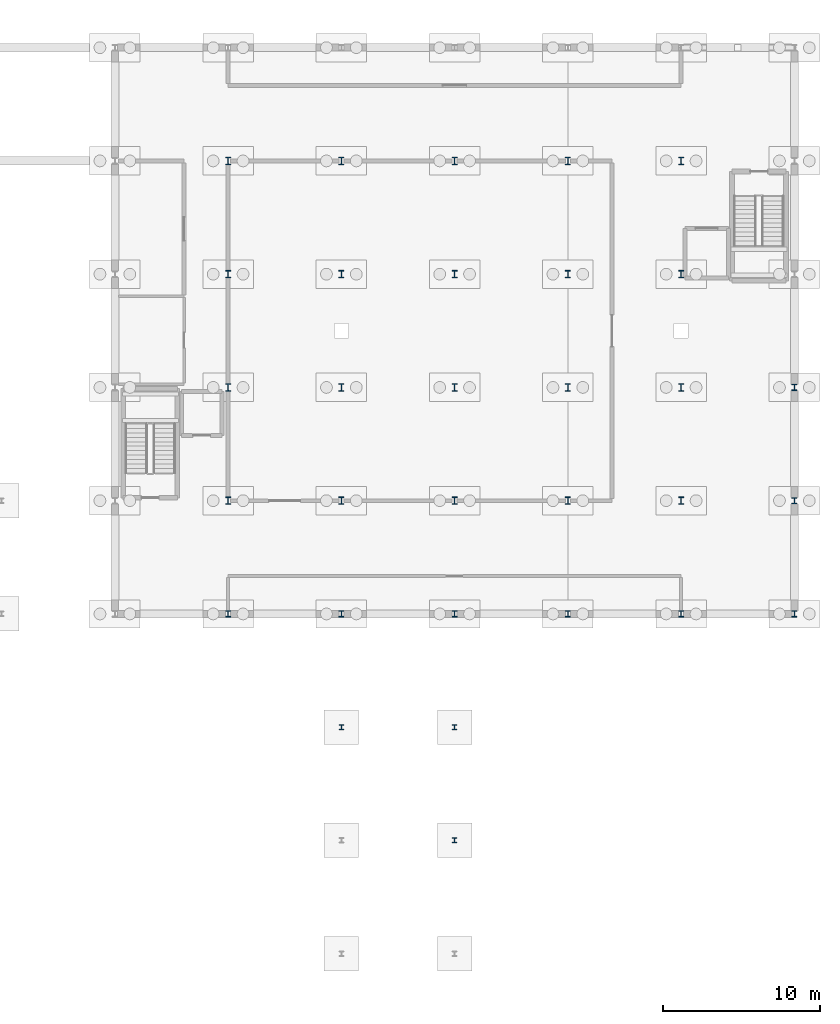
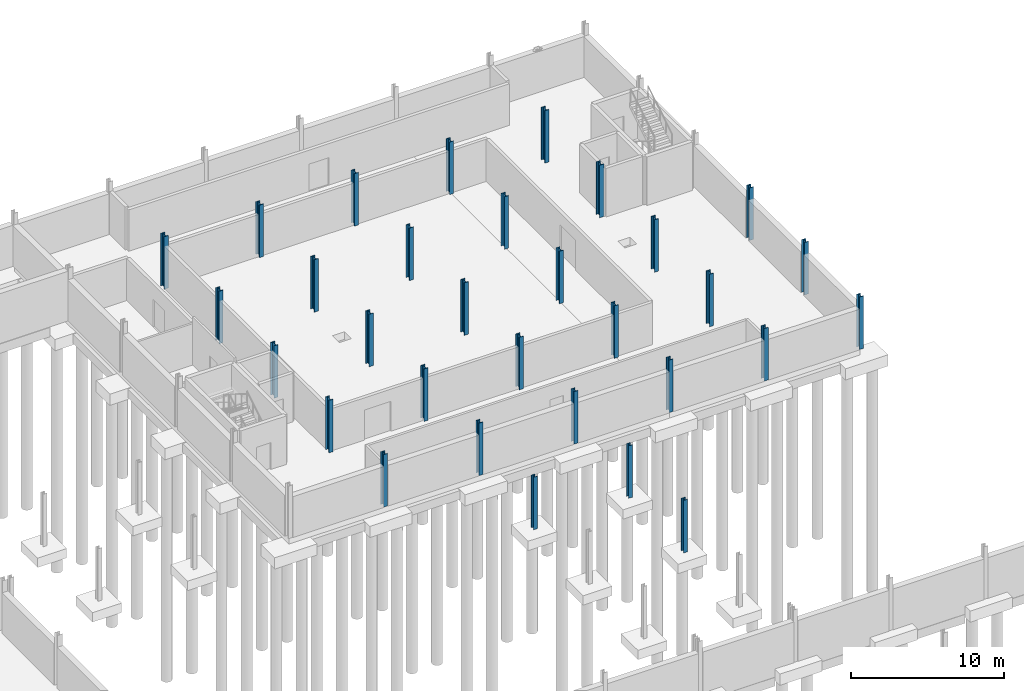
# One storey, part 26 of 50: 31 columns.
"""IFC4 building model written with IfcOpenShell, lengths in metres."""

from ifc_helpers import new_model, si_unit, direction, frame, origin, origin_2d, place, context, subcontext, project, spatial, i_section, extrude, material, material_profile, profile_set, type_object, element, save


model = new_model("IFC4")

# Units and contexts
model_context = context("Model", 3, precision=1e-05, world=origin(), true_north=direction((0.0, 1.0)))
body_context = subcontext(model_context, "Body", "Model", "MODEL_VIEW")
ifc_project = project(units=[si_unit("LENGTHUNIT", "METRE"), si_unit("AREAUNIT", "SQUARE_METRE"), si_unit("VOLUMEUNIT", "CUBIC_METRE"), si_unit("PLANEANGLEUNIT", "RADIAN"), si_unit("MASSUNIT", "GRAM", prefix="KILO")], contexts=[model_context])

# Site, building, storey
site_placement = place(None, origin())
site = spatial("IfcSite", under=ifc_project, at=site_placement, CompositionType="ELEMENT")
building_placement = place(site_placement, origin())
building = spatial("IfcBuilding", under=site, at=building_placement, Name="Narikvali Park Central Library", CompositionType="ELEMENT")
storey_placement = place(building_placement, frame((0.0, 0.0, -4.199951171875)))
storey = spatial("IfcBuildingStorey", under=building, at=storey_placement, Name="B1", CompositionType="ELEMENT", Elevation=-4.199951171875)

# Columns
ifc_material = material(Name="Steel S355", Category="steel")
ifc_material_profile_1 = material_profile(ifc_material, i_section(OverallWidth=0.306884765625, OverallDepth=0.47802734375, WebThickness=0.02099609375, FlangeThickness=0.0400390625, FilletRadius=0.027099609375, at=origin_2d()), Name="HEM 450")
ifc_profile_set_1 = profile_set([ifc_material_profile_1], Name="Steel S355")
column_type_1 = type_object("IfcColumnType", Name="Auditorium Interior Column HEM450", PredefinedType="COLUMN", material=ifc_profile_set_1)
for number, where, z_axis, x_axis, name in (
    (1, (129.60009765625, 86.39990234375, 0.0), (0.0, 0.0, 1.0), (1.0, 0.0, 0.0), "V3 B1 Column (129.6,86.4)"),
    (2, (129.60009765625, 93.60009765625, 0.0), (0.0, 0.0, 1.0), (1.0, 0.0, 0.0), "V3 B1 Column (129.6,93.6)"),
    (3, (129.60009765625, 100.800048828125, 0.0), (0.0, 0.0, 1.0), (1.0, 0.0, 0.0), "V3 B1 Column (129.6,100.8)"),
    (4, (129.60009765625, 108.0, 0.0), (0.0, 0.0, 1.0), (1.0, 0.0, 0.0), "V3 B1 Column (129.6,108.0)"),
    (5, (136.800048828125, 86.39990234375, 0.0), (0.0, 0.0, 1.0), (1.0, 0.0, 0.0), "V3 B1 Column (136.8,86.4)"),
    (6, (136.800048828125, 93.60009765625, 0.0), (0.0, 0.0, 1.0), (1.0, 0.0, 0.0), "V3 B1 Column (136.8,93.6)"),
    (7, (136.800048828125, 100.800048828125, 0.0), (0.0, 0.0, 1.0), (1.0, 0.0, 0.0), "V3 B1 Column (136.8,100.8)"),
    (8, (136.800048828125, 108.0, 0.0), (0.0, 0.0, 1.0), (1.0, 0.0, 0.0), "V3 B1 Column (136.8,108.0)"),
    (9, (144.0, 86.39990234375, 0.0), (0.0, 0.0, 1.0), (1.0, 0.0, 0.0), "V3 B1 Column (144.0,86.4)"),
    (10, (144.0, 93.60009765625, 0.0), (0.0, 0.0, 1.0), (1.0, 0.0, 0.0), "V3 B1 Column (144.0,93.6)"),
    (11, (144.0, 100.800048828125, 0.0), (0.0, 0.0, 1.0), (1.0, 0.0, 0.0), "V3 B1 Column (144.0,100.8)"),
    (12, (144.0, 108.0, 0.0), (0.0, 0.0, 1.0), (1.0, 0.0, 0.0), "V3 B1 Column (144.0,108.0)"),
    (13, (151.199951171875, 86.39990234375, 0.0), (0.0, 0.0, 1.0), (1.0, 0.0, 0.0), "V3 B1 Column (151.2,86.4)"),
    (14, (151.199951171875, 93.60009765625, 0.0), (0.0, 0.0, 1.0), (1.0, 0.0, 0.0), "V3 B1 Column (151.2,93.6)"),
    (15, (151.199951171875, 100.800048828125, 0.0), (0.0, 0.0, 1.0), (1.0, 0.0, 0.0), "V3 B1 Column (151.2,100.8)"),
    (16, (151.199951171875, 108.0, 0.0), (0.0, 0.0, 1.0), (1.0, 0.0, 0.0), "V3 B1 Column (151.2,108.0)"),
    (17, (158.39990234375, 86.39990234375, 0.0), (0.0, 0.0, 1.0), (1.0, 0.0, 0.0), "V3 B1 Column (158.4,86.4)"),
    (18, (158.39990234375, 93.60009765625, 0.0), (0.0, 0.0, 1.0), (1.0, 0.0, 0.0), "V3 B1 Column (158.4,93.6)"),
    (19, (158.39990234375, 100.800048828125, 0.0), (0.0, 0.0, 1.0), (1.0, 0.0, 0.0), "V3 B1 Column (158.4,100.8)"),
    (20, (158.39990234375, 108.0, 0.0), (0.0, 0.0, 1.0), (1.0, 0.0, 0.0), "V3 B1 Column (158.4,108.0)"),
):
    element("IfcColumn", number, at=place(storey_placement, frame(where, z_axis=z_axis, x_axis=x_axis)), inside=storey, type_object=column_type_1, Name=name, PredefinedType="COLUMN", context=body_context, shape_type="SweptSolid", body=[
        extrude(i_section(OverallWidth=0.306884765625, OverallDepth=0.47802734375, WebThickness=0.02099609375, FlangeThickness=0.0400390625, FilletRadius=0.027099609375, at=origin_2d()), origin(), (0.0, 0.0, 1.0), 4.199951171875),
    ])
ifc_material_profile_2 = material_profile(ifc_material, i_section(OverallWidth=0.2880859375, OverallDepth=0.31005859375, WebThickness=0.0185546875, FlangeThickness=0.032958984375, FilletRadius=0.02392578125, at=origin_2d()), Name="HEM 280")
ifc_profile_set_2 = profile_set([ifc_material_profile_2], Name="Steel S355")
column_type_2 = type_object("IfcColumnType", Name="Bridge Heavy Pier HEM280", PredefinedType="COLUMN", material=ifc_profile_set_2)
for number, where, z_axis, x_axis, name in (
    (21, (144.0, 64.800048828125, 0.0), (0.0, 0.0, 1.0), (1.0, 0.0, 0.0), "BRG-4 Bridge Pier B1"),
    (22, (136.800048828125, 72.0, 0.0), (0.0, 0.0, 1.0), (1.0, 0.0, 0.0), "BRG-4 Bridge Pier B1"),
    (23, (144.0, 72.0, 0.0), (0.0, 0.0, 1.0), (1.0, 0.0, 0.0), "BRG-4 Bridge Pier B1"),
):
    element("IfcColumn", number, at=place(storey_placement, frame(where, z_axis=z_axis, x_axis=x_axis)), inside=storey, type_object=column_type_2, Name=name, PredefinedType="COLUMN", context=body_context, shape_type="SweptSolid", body=[
        extrude(i_section(OverallWidth=0.2880859375, OverallDepth=0.31005859375, WebThickness=0.0185546875, FlangeThickness=0.032958984375, FilletRadius=0.02392578125, at=origin_2d()), origin(), (0.0, 0.0, 1.0), 4.199951171875),
    ])
ifc_material_profile_3 = material_profile(ifc_material, i_section(OverallWidth=0.30810546875, OverallDepth=0.39501953125, WebThickness=0.02099609375, FlangeThickness=0.035888671875, FilletRadius=0.027099609375, at=origin_2d()), Name="HEM 360")
ifc_profile_set_3 = profile_set([ifc_material_profile_3], Name="Steel S355")
column_type_3 = type_object("IfcColumnType", Name="Steel Column HEM360", PredefinedType="COLUMN", material=ifc_profile_set_3)
for number, where, z_axis, x_axis, name in (
    (24, (129.60009765625, 79.199951171875, 0.0), (0.0, 0.0, 1.0), (1.0, 0.0, 0.0), "V3 B1 Column (129.6,79.2)"),
    (25, (136.800048828125, 79.199951171875, 0.0), (0.0, 0.0, 1.0), (1.0, 0.0, 0.0), "V3 B1 Column (136.8,79.2)"),
    (26, (144.0, 79.199951171875, 0.0), (0.0, 0.0, 1.0), (1.0, 0.0, 0.0), "V3 B1 Column (144.0,79.2)"),
    (27, (151.199951171875, 79.199951171875, 0.0), (0.0, 0.0, 1.0), (1.0, 0.0, 0.0), "V3 B1 Column (151.2,79.2)"),
    (28, (158.39990234375, 79.199951171875, 0.0), (0.0, 0.0, 1.0), (1.0, 0.0, 0.0), "V3 B1 Column (158.4,79.2)"),
    (29, (165.60009765625, 79.199951171875, 0.0), (0.0, 0.0, 1.0), (1.0, 0.0, 0.0), "V3 B1 Column (165.6,79.2)"),
    (30, (165.60009765625, 86.39990234375, 0.0), (0.0, 0.0, 1.0), (1.0, 0.0, 0.0), "V3 B1 Column (165.6,86.4)"),
    (31, (165.60009765625, 93.60009765625, 0.0), (0.0, 0.0, 1.0), (1.0, 0.0, 0.0), "V3 B1 Column (165.6,93.6)"),
):
    element("IfcColumn", number, at=place(storey_placement, frame(where, z_axis=z_axis, x_axis=x_axis)), inside=storey, type_object=column_type_3, Name=name, PredefinedType="COLUMN", context=body_context, shape_type="SweptSolid", body=[
        extrude(i_section(OverallWidth=0.30810546875, OverallDepth=0.39501953125, WebThickness=0.02099609375, FlangeThickness=0.035888671875, FilletRadius=0.027099609375, at=origin_2d()), origin(), (0.0, 0.0, 1.0), 4.199951171875),
    ])

save(model, "model.ifc")
